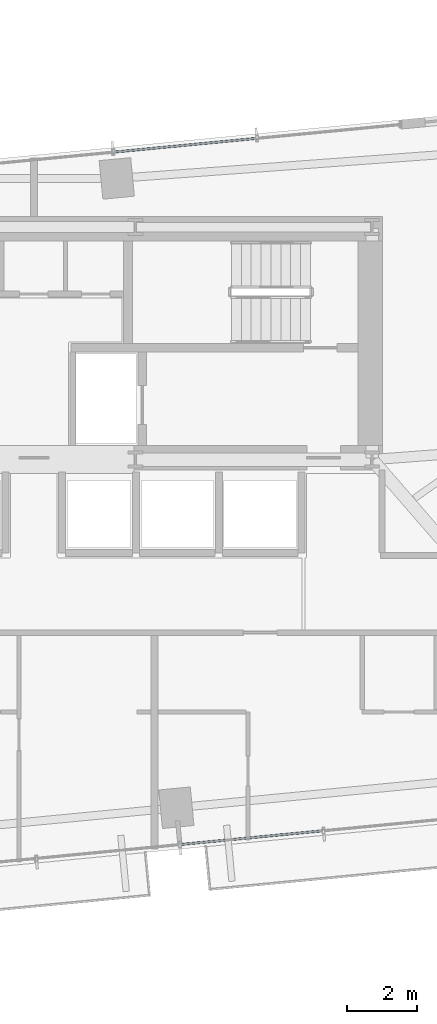
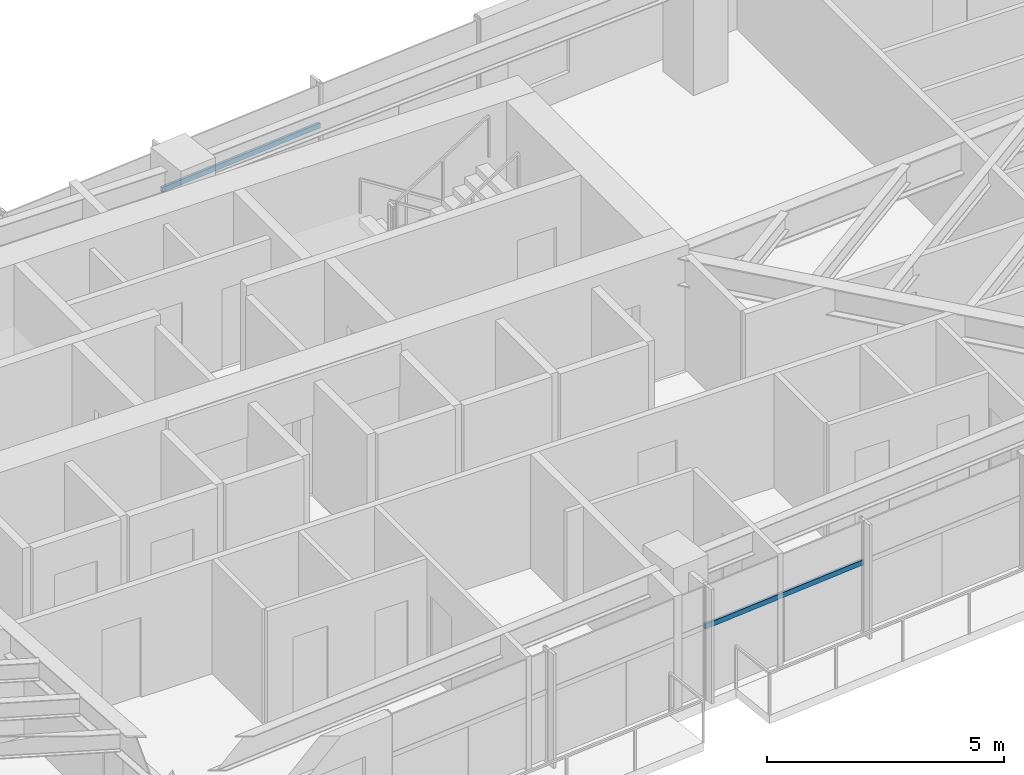
# One storey, part 11 of 27: 2 members, 2 elements without a shape of their own.
"""IFC4 building model written with IfcOpenShell, lengths in metres."""

from ifc_helpers import new_model, si_unit, direction, frame, origin, origin_2d, place, context, subcontext, project, spatial, hollow_rectangle, extrude, source, transform, mapped, material, material_profile, profile_set, type_object, type_shapes, element, aggregate, save


model = new_model("IFC4")

# Units and contexts
model_context = context("Model", 3, precision=1e-05, world=origin(), true_north=direction((0.0, 1.0)))
body_context = subcontext(model_context, "Body", "Model", "MODEL_VIEW")
ifc_project = project(units=[si_unit("LENGTHUNIT", "METRE"), si_unit("AREAUNIT", "SQUARE_METRE"), si_unit("VOLUMEUNIT", "CUBIC_METRE"), si_unit("PLANEANGLEUNIT", "RADIAN"), si_unit("MASSUNIT", "GRAM", prefix="KILO")], contexts=[model_context])

# Site, building, storey
site_placement = place(None, origin())
site = spatial("IfcSite", under=ifc_project, at=site_placement, CompositionType="ELEMENT")
building_placement = place(site_placement, origin())
building = spatial("IfcBuilding", under=site, at=building_placement, Name="Astriad Promenade Condominiums", CompositionType="ELEMENT")
storey_placement = place(building_placement, frame((0.0, 0.0, 84.199951171875)))
storey = spatial("IfcBuildingStorey", under=building, at=storey_placement, Name="L23", CompositionType="ELEMENT", Elevation=84.199951171875)

# Curtain wall, member
ifc_material_1 = material(Name="Anodised aluminium Black Dark Glass Unitised", Category="aluminium")
curtain_wall_type = type_object("IfcCurtainWallType", Name="CW-B2-DARK", PredefinedType="USERDEFINED", material=ifc_material_1)
curtain_wall_1_placement = place(storey_placement, origin())
curtain_wall_1 = element("IfcCurtainWall", 1, at=curtain_wall_1_placement, inside=storey, type_object=curtain_wall_type, Name="CW-L23-N", ObjectType="UNITISED_CURTAIN_WALL", PredefinedType="USERDEFINED")
ifc_material_2 = material(Name="Anodised aluminium 6063-T6 Black", Category="aluminium")
ifc_material_profile = material_profile(ifc_material_2, hollow_rectangle(XDim=0.06494140625, YDim=0.1298828125, WallThickness=0.00390625, at=origin_2d()), Name="ALU-TRN-65X130")
ifc_profile_set = profile_set([ifc_material_profile], Name="Anodised aluminium 6063-T6 Black")
member_type = type_object("IfcMemberType", Name="TRN-ALU-TRN-65X130", PredefinedType="USERDEFINED", material=ifc_profile_set)
shared_shape = source(origin(), body_context, "Body", "SweptSolid", [
    extrude(hollow_rectangle(XDim=0.06494140625, YDim=0.1298828125, WallThickness=0.00390625, at=origin_2d()), origin(), (0.0, 0.0, 1.0), 4.094970703125),
])
type_shapes(member_type, [shared_shape])
member_1_placement = place(storey_placement, frame((38.25390625, 26.12451171875, 1.82275390625), z_axis=(0.995394161585, 0.09586690296, 0.0), x_axis=(-0.09586690296, 0.995394161585, 0.0)))
member_1 = element("IfcMember", 2, at=member_1_placement, type_object=member_type, Name="CW-L23-N-TRN-02-0", ObjectType="TRANSOM", PredefinedType="USERDEFINED", context=body_context, shape_type="MappedRepresentation", body=[
    mapped(shared_shape, transform((0.0, 0.0, 0.0), scale=1.0)),
])
aggregate(curtain_wall_1, [member_1])

curtain_wall_2_placement = place(storey_placement, origin())
curtain_wall_2 = element("IfcCurtainWall", 3, at=curtain_wall_2_placement, inside=storey, type_object=curtain_wall_type, Name="CW-L23-S", ObjectType="UNITISED_CURTAIN_WALL", PredefinedType="USERDEFINED")
member_2_placement = place(storey_placement, frame((44.22216796875, 6.867919921875, 1.82275390625), z_axis=(-0.995394161585, -0.09586690296, 0.0), x_axis=(0.09586690296, -0.995394161585, 0.0)))
member_2 = element("IfcMember", 4, at=member_2_placement, type_object=member_type, Name="CW-L23-S-TRN-01-0", ObjectType="TRANSOM", PredefinedType="USERDEFINED", context=body_context, shape_type="MappedRepresentation", body=[
    mapped(shared_shape, transform((0.0, 0.0, 0.0), scale=1.0)),
])
aggregate(curtain_wall_2, [member_2])

save(model, "model.ifc")
